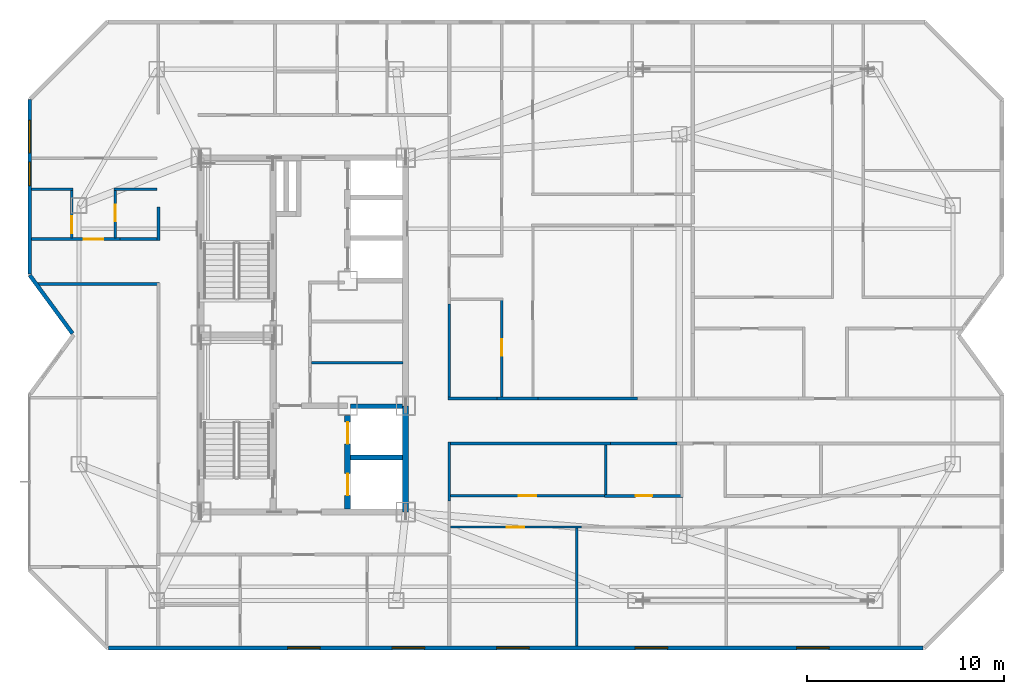
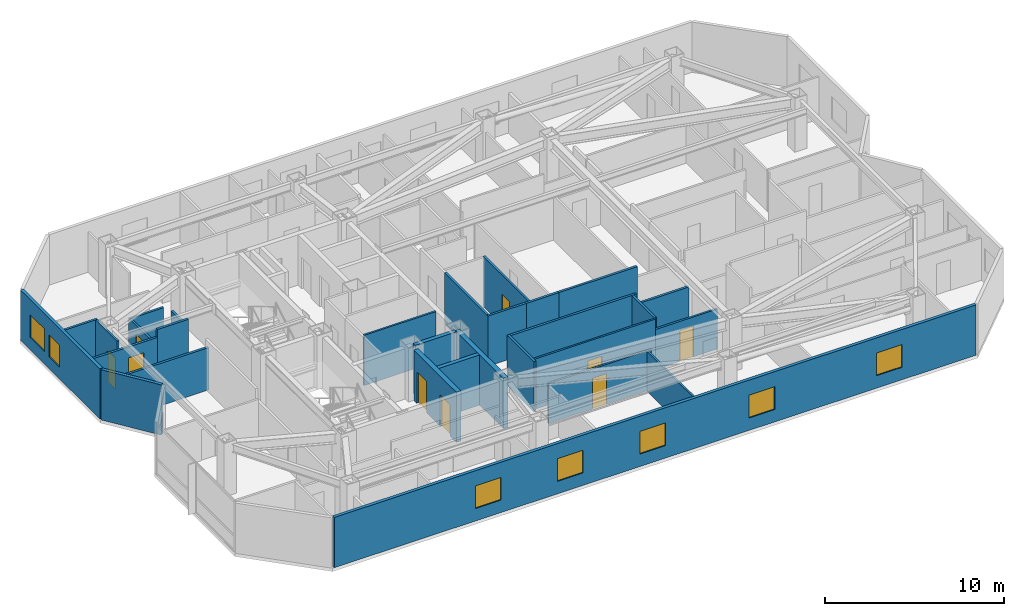
# One storey, part 9 of 14: 29 walls, 9 doors, 7 windows, 16 openings.
"""IFC4 building model written with IfcOpenShell, lengths in metres."""

from ifc_helpers import new_model, si_unit, direction, frame, frame_2d, origin, place, context, subcontext, project, spatial, rectangle, extrude, material, layer, layer_set, type_object, element, fill, save


model = new_model("IFC4")

# Units and contexts
model_context = context("Model", 3, precision=1e-05, world=origin(), true_north=direction((0.0, 1.0)))
body_context = subcontext(model_context, "Body", "Model", "MODEL_VIEW")
ifc_project = project(units=[si_unit("LENGTHUNIT", "METRE"), si_unit("AREAUNIT", "SQUARE_METRE"), si_unit("VOLUMEUNIT", "CUBIC_METRE"), si_unit("PLANEANGLEUNIT", "RADIAN"), si_unit("MASSUNIT", "GRAM", prefix="KILO")], contexts=[model_context])

# Site, building, storey
site_placement = place(None, origin())
site = spatial("IfcSite", under=ifc_project, at=site_placement, CompositionType="ELEMENT")
building_placement = place(site_placement, origin())
building = spatial("IfcBuilding", under=site, at=building_placement, Name="Khamvora Tower", CompositionType="ELEMENT")
storey_placement = place(building_placement, frame((0.0, 0.0, 253.699951171875)))
storey = spatial("IfcBuildingStorey", under=building, at=storey_placement, Name="L65", CompositionType="ELEMENT", Elevation=253.699951171875)

# Wall
ifc_material_1 = material(Name="Concrete C50/60", Category="concrete")
ifc_layer_1 = layer(ifc_material_1, 0.300048828125)
ifc_layer_set_1 = layer_set([ifc_layer_1], Name="Concrete C50/60")
wall_type_1 = type_object("IfcWallType", Name="WAL-CORE-300", PredefinedType="SHEAR", material=ifc_layer_set_1)
wall_1_placement = place(storey_placement, frame((39.39990234375, 19.0, 0.0), z_axis=(0.0, 0.0, 1.0), x_axis=(0.0, 1.0, 0.0)))
element("IfcWall", 1, at=wall_1_placement, inside=storey, type_object=wall_type_1, Name="L65 central core east south wall", PredefinedType="SHEAR", context=body_context, shape_type="SweptSolid", body=[
    extrude(rectangle(XDim=5.39990234375, YDim=0.300048828125, at=frame_2d((2.699951171875, 0.0))), origin(), (0.0, 0.0, 1.0), 3.429931640625),
])

# Wall, openings, doors
wall_2_placement = place(storey_placement, frame((36.449951171875, 19.154052734375, 0.0), z_axis=(0.0, 0.0, 1.0), x_axis=(0.0, 1.0, 0.0)))
wall_2 = element("IfcWall", 2, at=wall_2_placement, inside=storey, type_object=wall_type_1, Name="L65 central core lift bank south wall", PredefinedType="SHEAR", context=body_context, shape_type="SweptSolid", body=[
    extrude(rectangle(XDim=4.745849609375, YDim=0.300048828125, at=frame_2d((2.373046875, 0.0))), origin(), (0.0, 0.0, 1.0), 3.429931640625),
])
opening_1_placement = place(wall_2_placement, frame((0.696044921875, 0.0, 0.0)))
opening_1 = element("IfcOpeningElement", 3, at=opening_1_placement, cuts=wall_2, Name="Opening LD-FFL", PredefinedType="OPENING", context=body_context, shape_type="SweptSolid", body=[
    extrude(rectangle(XDim=1.10009765625, YDim=2.14990234375, at=frame_2d((0.550048828125, 1.074951171875))), frame((0.0, 0.159912109375, 0.0), z_axis=(0.0, -1.0, 0.0), x_axis=(1.0, 0.0, 0.0)), (0.0, 0.0, 1.0), 0.320068359375),
])
opening_2_placement = place(wall_2_placement, frame((3.31591796875, 0.0, 0.0)))
opening_2 = element("IfcOpeningElement", 4, at=opening_2_placement, cuts=wall_2, Name="Opening LD-FFL", PredefinedType="OPENING", context=body_context, shape_type="SweptSolid", body=[
    extrude(rectangle(XDim=1.10009765625, YDim=2.14990234375, at=frame_2d((0.550048828125, 1.074951171875))), frame((0.0, 0.159912109375, 0.0), z_axis=(0.0, -1.0, 0.0), x_axis=(1.0, 0.0, 0.0)), (0.0, 0.0, 1.0), 0.320068359375),
])
ifc_material_2 = material(Name="Powder-Coated Steel and Hardwood Leaf", Category="steel")
door_type_1 = type_object("IfcDoorType", Name="DOR-LIFT-1100", OperationType="SLIDING_TO_LEFT", PredefinedType="DOOR", material=ifc_material_2)
door_1_placement = place(opening_1_placement, origin())
door_1 = element("IfcDoor", 5, at=door_1_placement, inside=storey, type_object=door_type_1, Name="L65 lift landing sliding door FFL-01", OperationType="SLIDING_TO_LEFT", OverallHeight=2.14990234375, OverallWidth=1.10009765625, PredefinedType="DOOR", context=body_context, shape_type="SweptSolid", body=[
    extrude(rectangle(XDim=1.10009765625, YDim=2.14990234375, at=frame_2d((0.550048828125, 1.074951171875))), frame((0.0, 0.02490234375, 0.0), z_axis=(0.0, -1.0, 0.0), x_axis=(1.0, 0.0, 0.0)), (0.0, 0.0, 1.0), 0.050048828125),
])
fill(opening_1, door_1)
door_2_placement = place(opening_2_placement, origin())
door_2 = element("IfcDoor", 6, at=door_2_placement, inside=storey, type_object=door_type_1, Name="L65 lift landing sliding door FFL-02", OperationType="SLIDING_TO_LEFT", OverallHeight=2.14990234375, OverallWidth=1.10009765625, PredefinedType="DOOR", context=body_context, shape_type="SweptSolid", body=[
    extrude(rectangle(XDim=1.10009765625, YDim=2.14990234375, at=frame_2d((0.550048828125, 1.074951171875))), frame((0.0, 0.02490234375, 0.0), z_axis=(0.0, -1.0, 0.0), x_axis=(1.0, 0.0, 0.0)), (0.0, 0.0, 1.0), 0.050048828125),
])
fill(opening_2, door_2)

# Wall
ifc_material_3 = material(Name="Fire-Rated Drywall and Steel Stud", Category="steel")
ifc_layer_2 = layer(ifc_material_3, 0.14990234375)
ifc_layer_set_2 = layer_set([ifc_layer_2], Name="Fire-Rated Drywall and Steel Stud")
wall_type_2 = type_object("IfcWallType", Name="WAL-CORR-150", PredefinedType="STANDARD", material=ifc_layer_set_2)
wall_3_placement = place(storey_placement, frame((26.89794921875, 30.5849609375, 0.0), z_axis=(0.0, 0.0, 1.0), x_axis=(-1.0, 0.0, 0.0)))
element("IfcWall", 7, at=wall_3_placement, inside=storey, type_object=wall_type_2, Name="L65 interior partition wall 010", PredefinedType="STANDARD", context=body_context, shape_type="SweptSolid", body=[
    extrude(rectangle(XDim=6.241943359375, YDim=0.14990234375, at=frame_2d((3.12109375, 0.0))), origin(), (0.0, 0.0, 1.0), 2.886962890625),
])

# Wall, opening, door
wall_4_placement = place(storey_placement, frame((20.39208984375, 32.864990234375, 0.0), z_axis=(0.0, 0.0, 1.0), x_axis=(1.0, 0.0, 0.0)))
wall_4 = element("IfcWall", 8, at=wall_4_placement, inside=storey, type_object=wall_type_2, Name="L65 interior partition wall 011", PredefinedType="STANDARD", context=body_context, shape_type="SweptSolid", body=[
    extrude(rectangle(XDim=4.496826171875, YDim=0.14990234375, at=frame_2d((2.24853515625, 0.0))), origin(), (0.0, 0.0, 1.0), 2.886962890625),
])
opening_3_placement = place(wall_4_placement, frame((2.64794921875, 0.0, 0.0)))
opening_3 = element("IfcOpeningElement", 9, at=opening_3_placement, cuts=wall_4, Name="Opening D-U1", PredefinedType="OPENING", context=body_context, shape_type="SweptSolid", body=[
    extrude(rectangle(XDim=1.0, YDim=2.14990234375, at=frame_2d((0.5, 1.074951171875))), frame((0.0, 0.0849609375, 0.0), z_axis=(0.0, -1.0, 0.0), x_axis=(1.0, 0.0, 0.0)), (0.0, 0.0, 1.0), 0.169921875),
])
door_type_2 = type_object("IfcDoorType", Name="DOR-UNIT-1000", OperationType="NOTDEFINED", PredefinedType="DOOR", material=ifc_material_2)
door_3_placement = place(opening_3_placement, origin())
door_3 = element("IfcDoor", 10, at=door_3_placement, inside=storey, type_object=door_type_2, Name="L65 interior door COR-65WBH", OperationType="SINGLE_SWING_LEFT", OverallHeight=2.14990234375, OverallWidth=1.0, PredefinedType="DOOR", context=body_context, shape_type="SweptSolid", body=[
    extrude(rectangle(XDim=1.0, YDim=2.14990234375, at=frame_2d((0.5, 1.074951171875))), frame((0.0, 0.02490234375, 0.0), z_axis=(0.0, -1.0, 0.0), x_axis=(1.0, 0.0, 0.0)), (0.0, 0.0, 1.0), 0.050048828125),
])
fill(opening_3, door_3)

# Walls
wall_5_placement = place(storey_placement, frame((24.888916015625, 32.864990234375, 0.0), z_axis=(0.0, 0.0, 1.0), x_axis=(1.0, 0.0, 0.0)))
element("IfcWall", 11, at=wall_5_placement, inside=storey, type_object=wall_type_2, Name="L65 interior partition wall 012", PredefinedType="STANDARD", context=body_context, shape_type="SweptSolid", body=[
    extrude(rectangle(XDim=2.010986328125, YDim=0.14990234375, at=frame_2d((1.00537109375, 0.0))), origin(), (0.0, 0.0, 1.0), 3.429931640625),
])
wall_6_placement = place(storey_placement, frame((26.8349609375, 32.800048828125, 0.0), z_axis=(0.0, 0.0, 1.0), x_axis=(0.0, 1.0, 0.0)))
element("IfcWall", 12, at=wall_6_placement, inside=storey, type_object=wall_type_2, Name="L65 interior partition wall 013", PredefinedType="STANDARD", context=body_context, shape_type="SweptSolid", body=[
    extrude(rectangle(XDim=1.699951171875, YDim=0.14990234375, at=frame_2d((0.85009765625, 0.0))), origin(), (0.0, 0.0, 1.0), 3.012939453125),
])
wall_7_placement = place(storey_placement, frame((49.819091796875, 22.485107421875, 0.0), z_axis=(0.0, 0.0, 1.0), x_axis=(-1.0, 0.0, 0.0)))
element("IfcWall", 13, at=wall_7_placement, inside=storey, type_object=wall_type_2, Name="L65 interior partition wall 020", PredefinedType="STANDARD", context=body_context, shape_type="SweptSolid", body=[
    extrude(rectangle(XDim=8.26904296875, YDim=0.14990234375, at=frame_2d((4.134521484375, 0.0))), origin(), (0.0, 0.0, 1.0), 3.429931640625),
])
wall_8_placement = place(storey_placement, frame((41.614990234375, 22.550048828125, 0.0), z_axis=(0.0, 0.0, 1.0), x_axis=(0.0, -1.0, 0.0)))
element("IfcWall", 14, at=wall_8_placement, inside=storey, type_object=wall_type_2, Name="L65 interior partition wall 021", PredefinedType="STANDARD", context=body_context, shape_type="SweptSolid", body=[
    extrude(rectangle(XDim=2.97998046875, YDim=0.14990234375, at=frame_2d((1.489990234375, 0.0))), origin(), (0.0, 0.0, 1.0), 3.429931640625),
])
wall_9_placement = place(storey_placement, frame((53.18603515625, 22.485107421875, 0.0), z_axis=(0.0, 0.0, 1.0), x_axis=(-1.0, 0.0, 0.0)))
element("IfcWall", 15, at=wall_9_placement, inside=storey, type_object=wall_type_2, Name="L65 interior partition wall 025", PredefinedType="STANDARD", context=body_context, shape_type="SweptSolid", body=[
    extrude(rectangle(XDim=3.366943359375, YDim=0.14990234375, at=frame_2d((1.68359375, 0.0))), origin(), (0.0, 0.0, 1.0), 2.72509765625),
])
wall_10_placement = place(storey_placement, frame((44.0390625, 24.764892578125, 0.0), z_axis=(0.0, 0.0, 1.0), x_axis=(1.0, 0.0, 0.0)))
element("IfcWall", 16, at=wall_10_placement, inside=storey, type_object=wall_type_2, Name="L65 interior partition wall 030", PredefinedType="STANDARD", context=body_context, shape_type="SweptSolid", body=[
    extrude(rectangle(XDim=2.077880859375, YDim=0.14990234375, at=frame_2d((1.0390625, 0.0))), origin(), (0.0, 0.0, 1.0), 3.429931640625),
])
wall_11_placement = place(storey_placement, frame((41.614990234375, 29.56689453125, 0.0), z_axis=(0.0, 0.0, 1.0), x_axis=(0.0, -1.0, 0.0)))
element("IfcWall", 17, at=wall_11_placement, inside=storey, type_object=wall_type_2, Name="L65 interior partition wall 032", PredefinedType="STANDARD", context=body_context, shape_type="SweptSolid", body=[
    extrude(rectangle(XDim=4.866943359375, YDim=0.14990234375, at=frame_2d((2.43359375, 0.0))), origin(), (0.0, 0.0, 1.0), 3.429931640625),
])
wall_12_placement = place(storey_placement, frame((41.550048828125, 24.764892578125, 0.0), z_axis=(0.0, 0.0, 1.0), x_axis=(1.0, 0.0, 0.0)))
element("IfcWall", 18, at=wall_12_placement, inside=storey, type_object=wall_type_2, Name="L65 interior partition wall 033", PredefinedType="STANDARD", context=body_context, shape_type="SweptSolid", body=[
    extrude(rectangle(XDim=2.489013671875, YDim=0.14990234375, at=frame_2d((1.24462890625, 0.0))), origin(), (0.0, 0.0, 1.0), 3.429931640625),
])
wall_13_placement = place(storey_placement, frame((46.116943359375, 24.764892578125, 0.0), z_axis=(0.0, 0.0, 1.0), x_axis=(1.0, 0.0, 0.0)))
element("IfcWall", 19, at=wall_13_placement, inside=storey, type_object=wall_type_2, Name="L65 interior partition wall 034", PredefinedType="STANDARD", context=body_context, shape_type="SweptSolid", body=[
    extrude(rectangle(XDim=5.050048828125, YDim=0.14990234375, at=frame_2d((2.52490234375, 0.0))), origin(), (0.0, 0.0, 1.0), 3.429931640625),
])
ifc_material_4 = material(Name="Precast concrete C40/50", Category="concrete")
ifc_layer_3 = layer(ifc_material_4, 0.199951171875)
ifc_layer_set_3 = layer_set([ifc_layer_3], Name="Precast concrete C40/50")
wall_type_3 = type_object("IfcWallType", Name="WAL-EXT-200", PredefinedType="STANDARD", material=ifc_layer_set_3)
wall_14_placement = place(storey_placement, frame((22.472900390625, 28.069091796875, 0.0), z_axis=(0.0, 0.0, 1.0), x_axis=(-0.591248456881, 0.80648946815, 0.0)))
element("IfcWall", 20, at=wall_14_placement, inside=storey, type_object=wall_type_3, Name="L65 exterior facade wall 04.1", PredefinedType="STANDARD", context=body_context, shape_type="SweptSolid", body=[
    extrude(rectangle(XDim=3.675048828125, YDim=0.199951171875, at=frame_2d((1.83740234375, 0.0))), origin(), (0.0, 0.0, 1.0), 3.429931640625),
])

# Wall, openings, windows
wall_15_placement = place(storey_placement, frame((20.300048828125, 31.083984375, 0.0), z_axis=(0.0, 0.0, 1.0), x_axis=(0.0, 1.0, 0.0)))
wall_15 = element("IfcWall", 21, at=wall_15_placement, inside=storey, type_object=wall_type_3, Name="L65 exterior facade wall 05.1", PredefinedType="STANDARD", context=body_context, shape_type="SweptSolid", body=[
    extrude(rectangle(XDim=8.875, YDim=0.199951171875, at=frame_2d((4.4375, 0.0))), origin(), (0.0, 0.0, 1.0), 3.429931640625),
])
opening_4_placement = place(wall_15_placement, frame((4.5009765625, 0.0, 0.800048828125)))
opening_4 = element("IfcOpeningElement", 22, at=opening_4_placement, cuts=wall_15, Name="Opening WN-03", PredefinedType="OPENING", context=body_context, shape_type="SweptSolid", body=[
    extrude(rectangle(XDim=1.199951171875, YDim=1.5, at=frame_2d((0.60009765625, 0.75))), frame((0.0, 0.10986328125, 0.0), z_axis=(0.0, -1.0, 0.0), x_axis=(1.0, 0.0, 0.0)), (0.0, 0.0, 1.0), 0.219970703125),
])
opening_5_placement = place(wall_15_placement, frame((6.166015625, 0.0, 0.85009765625)))
opening_5 = element("IfcOpeningElement", 23, at=opening_5_placement, cuts=wall_15, Name="Opening WN-06", PredefinedType="OPENING", context=body_context, shape_type="SweptSolid", body=[
    extrude(rectangle(XDim=1.64990234375, YDim=1.550048828125, at=frame_2d((0.824951171875, 0.77490234375))), frame((0.0, 0.10986328125, 0.0), z_axis=(0.0, -1.0, 0.0), x_axis=(1.0, 0.0, 0.0)), (0.0, 0.0, 1.0), 0.219970703125),
])
ifc_material_5 = material(Name="Low-E Laminated Double Glazing", Category="glass")
window_type_1 = type_object("IfcWindowType", Name="WIN-VIS-1200x1500", PartitioningType="SINGLE_PANEL", PredefinedType="WINDOW", material=ifc_material_5)
window_1_placement = place(opening_4_placement, origin())
window_1 = element("IfcWindow", 24, at=window_1_placement, inside=storey, type_object=window_type_1, Name="L65 vision window 05.1.01", OverallHeight=1.5, OverallWidth=1.199951171875, PartitioningType="SINGLE_PANEL", PredefinedType="WINDOW", context=body_context, shape_type="SweptSolid", body=[
    extrude(rectangle(XDim=1.199951171875, YDim=1.5, at=frame_2d((0.60009765625, 0.75))), frame((0.0, 0.030029296875, 0.0), z_axis=(0.0, -1.0, 0.0), x_axis=(1.0, 0.0, 0.0)), (0.0, 0.0, 1.0), 0.06005859375),
])
fill(opening_4, window_1)
window_type_2 = type_object("IfcWindowType", Name="WIN-VIS-1650x1550", PartitioningType="SINGLE_PANEL", PredefinedType="WINDOW", material=ifc_material_5)
window_2_placement = place(opening_5_placement, origin())
window_2 = element("IfcWindow", 25, at=window_2_placement, inside=storey, type_object=window_type_2, Name="L65 vision window 05.1.02", OverallHeight=1.550048828125, OverallWidth=1.64990234375, PartitioningType="SINGLE_PANEL", PredefinedType="WINDOW", context=body_context, shape_type="SweptSolid", body=[
    extrude(rectangle(XDim=1.64990234375, YDim=1.550048828125, at=frame_2d((0.824951171875, 0.77490234375))), frame((0.0, 0.030029296875, 0.0), z_axis=(0.0, -1.0, 0.0), x_axis=(1.0, 0.0, 0.0)), (0.0, 0.0, 1.0), 0.06005859375),
])
fill(opening_5, window_2)

wall_16_placement = place(storey_placement, frame((65.696044921875, 12.10009765625, 0.0), z_axis=(0.0, 0.0, 1.0), x_axis=(-1.0, 0.0, 0.0)))
wall_16 = element("IfcWall", 26, at=wall_16_placement, inside=storey, type_object=wall_type_3, Name="L65 exterior facade wall 14.1", PredefinedType="STANDARD", context=body_context, shape_type="SweptSolid", body=[
    extrude(rectangle(XDim=41.39306640625, YDim=0.199951171875, at=frame_2d((20.696533203125, 0.0))), origin(), (0.0, 0.0, 1.0), 3.429931640625),
])
opening_6_placement = place(wall_16_placement, frame((30.64599609375, 0.0, 0.85009765625)))
opening_6 = element("IfcOpeningElement", 27, at=opening_6_placement, cuts=wall_16, Name="Opening WN-06", PredefinedType="OPENING", context=body_context, shape_type="SweptSolid", body=[
    extrude(rectangle(XDim=1.64990234375, YDim=1.550048828125, at=frame_2d((0.824951171875, 0.77490234375))), frame((0.0, 0.10986328125, 0.0), z_axis=(0.0, -1.0, 0.0), x_axis=(1.0, 0.0, 0.0)), (0.0, 0.0, 1.0), 0.219970703125),
])
opening_7_placement = place(wall_16_placement, frame((25.339111328125, 0.0, 0.85009765625)))
opening_7 = element("IfcOpeningElement", 28, at=opening_7_placement, cuts=wall_16, Name="Opening WN-06", PredefinedType="OPENING", context=body_context, shape_type="SweptSolid", body=[
    extrude(rectangle(XDim=1.64990234375, YDim=1.550048828125, at=frame_2d((0.824951171875, 0.77490234375))), frame((0.0, 0.10986328125, 0.0), z_axis=(0.0, -1.0, 0.0), x_axis=(1.0, 0.0, 0.0)), (0.0, 0.0, 1.0), 0.219970703125),
])
opening_8_placement = place(wall_16_placement, frame((20.02197265625, 0.0, 0.85009765625)))
opening_8 = element("IfcOpeningElement", 29, at=opening_8_placement, cuts=wall_16, Name="Opening WN-06", PredefinedType="OPENING", context=body_context, shape_type="SweptSolid", body=[
    extrude(rectangle(XDim=1.64990234375, YDim=1.550048828125, at=frame_2d((0.824951171875, 0.77490234375))), frame((0.0, 0.10986328125, 0.0), z_axis=(0.0, -1.0, 0.0), x_axis=(1.0, 0.0, 0.0)), (0.0, 0.0, 1.0), 0.219970703125),
])
opening_9_placement = place(wall_16_placement, frame((12.987060546875, 0.0, 0.85009765625)))
opening_9 = element("IfcOpeningElement", 30, at=opening_9_placement, cuts=wall_16, Name="Opening WN-06", PredefinedType="OPENING", context=body_context, shape_type="SweptSolid", body=[
    extrude(rectangle(XDim=1.64990234375, YDim=1.550048828125, at=frame_2d((0.824951171875, 0.77490234375))), frame((0.0, 0.10986328125, 0.0), z_axis=(0.0, -1.0, 0.0), x_axis=(1.0, 0.0, 0.0)), (0.0, 0.0, 1.0), 0.219970703125),
])
opening_10_placement = place(wall_16_placement, frame((4.787109375, 0.0, 0.85009765625)))
opening_10 = element("IfcOpeningElement", 31, at=opening_10_placement, cuts=wall_16, Name="Opening WN-06", PredefinedType="OPENING", context=body_context, shape_type="SweptSolid", body=[
    extrude(rectangle(XDim=1.64990234375, YDim=1.550048828125, at=frame_2d((0.824951171875, 0.77490234375))), frame((0.0, 0.10986328125, 0.0), z_axis=(0.0, -1.0, 0.0), x_axis=(1.0, 0.0, 0.0)), (0.0, 0.0, 1.0), 0.219970703125),
])
window_3_placement = place(opening_6_placement, origin())
window_3 = element("IfcWindow", 32, at=window_3_placement, inside=storey, type_object=window_type_2, Name="L65 vision window 14.1.01", OverallHeight=1.550048828125, OverallWidth=1.64990234375, PartitioningType="SINGLE_PANEL", PredefinedType="WINDOW", context=body_context, shape_type="SweptSolid", body=[
    extrude(rectangle(XDim=1.64990234375, YDim=1.550048828125, at=frame_2d((0.824951171875, 0.77490234375))), frame((0.0, 0.030029296875, 0.0), z_axis=(0.0, -1.0, 0.0), x_axis=(1.0, 0.0, 0.0)), (0.0, 0.0, 1.0), 0.06005859375),
])
fill(opening_6, window_3)
window_4_placement = place(opening_7_placement, origin())
window_4 = element("IfcWindow", 33, at=window_4_placement, inside=storey, type_object=window_type_2, Name="L65 vision window 14.1.02", OverallHeight=1.550048828125, OverallWidth=1.64990234375, PartitioningType="SINGLE_PANEL", PredefinedType="WINDOW", context=body_context, shape_type="SweptSolid", body=[
    extrude(rectangle(XDim=1.64990234375, YDim=1.550048828125, at=frame_2d((0.824951171875, 0.77490234375))), frame((0.0, 0.030029296875, 0.0), z_axis=(0.0, -1.0, 0.0), x_axis=(1.0, 0.0, 0.0)), (0.0, 0.0, 1.0), 0.06005859375),
])
fill(opening_7, window_4)
window_5_placement = place(opening_8_placement, origin())
window_5 = element("IfcWindow", 34, at=window_5_placement, inside=storey, type_object=window_type_2, Name="L65 vision window 14.1.03", OverallHeight=1.550048828125, OverallWidth=1.64990234375, PartitioningType="SINGLE_PANEL", PredefinedType="WINDOW", context=body_context, shape_type="SweptSolid", body=[
    extrude(rectangle(XDim=1.64990234375, YDim=1.550048828125, at=frame_2d((0.824951171875, 0.77490234375))), frame((0.0, 0.030029296875, 0.0), z_axis=(0.0, -1.0, 0.0), x_axis=(1.0, 0.0, 0.0)), (0.0, 0.0, 1.0), 0.06005859375),
])
fill(opening_8, window_5)
window_6_placement = place(opening_9_placement, origin())
window_6 = element("IfcWindow", 35, at=window_6_placement, inside=storey, type_object=window_type_2, Name="L65 vision window 14.1.04", OverallHeight=1.550048828125, OverallWidth=1.64990234375, PartitioningType="SINGLE_PANEL", PredefinedType="WINDOW", context=body_context, shape_type="SweptSolid", body=[
    extrude(rectangle(XDim=1.64990234375, YDim=1.550048828125, at=frame_2d((0.824951171875, 0.77490234375))), frame((0.0, 0.030029296875, 0.0), z_axis=(0.0, -1.0, 0.0), x_axis=(1.0, 0.0, 0.0)), (0.0, 0.0, 1.0), 0.06005859375),
])
fill(opening_9, window_6)
window_7_placement = place(opening_10_placement, origin())
window_7 = element("IfcWindow", 36, at=window_7_placement, inside=storey, type_object=window_type_2, Name="L65 vision window 14.1.05", OverallHeight=1.550048828125, OverallWidth=1.64990234375, PartitioningType="SINGLE_PANEL", PredefinedType="WINDOW", context=body_context, shape_type="SweptSolid", body=[
    extrude(rectangle(XDim=1.64990234375, YDim=1.550048828125, at=frame_2d((0.824951171875, 0.77490234375))), frame((0.0, 0.030029296875, 0.0), z_axis=(0.0, -1.0, 0.0), x_axis=(1.0, 0.0, 0.0)), (0.0, 0.0, 1.0), 0.06005859375),
])
fill(opening_10, window_7)

# Wall
ifc_material_6 = material(Name="Gypsum Plasterboard Partition", Category="gypsum")
ifc_layer_4 = layer(ifc_material_6, 0.1201171875)
ifc_layer_set_4 = layer_set([ifc_layer_4], Name="Gypsum Plasterboard Partition")
wall_type_4 = type_object("IfcWallType", Name="WAL-PART-120", PredefinedType="PARTITIONING", material=ifc_layer_set_4)
wall_17_placement = place(storey_placement, frame((39.256103515625, 26.5849609375, 0.0), z_axis=(0.0, 0.0, 1.0), x_axis=(-1.0, 0.0, 0.0)))
element("IfcWall", 37, at=wall_17_placement, inside=storey, type_object=wall_type_4, Name="L65 interior partition wall 006", PredefinedType="PARTITIONING", context=body_context, shape_type="SweptSolid", body=[
    extrude(rectangle(XDim=4.64404296875, YDim=0.1201171875, at=frame_2d((2.322021484375, 0.0))), origin(), (0.0, 0.0, 1.0), 3.429931640625),
])

# Wall, opening, door
wall_18_placement = place(storey_placement, frame((49.5048828125, 19.819091796875, 0.0), z_axis=(0.0, 0.0, 1.0), x_axis=(-1.0, 0.0, 0.0)))
wall_18 = element("IfcWall", 38, at=wall_18_placement, inside=storey, type_object=wall_type_4, Name="L65 interior partition wall 064", PredefinedType="PARTITIONING", context=body_context, shape_type="SweptSolid", body=[
    extrude(rectangle(XDim=7.822998046875, YDim=0.1201171875, at=frame_2d((3.91162109375, 0.0))), origin(), (0.0, 0.0, 1.0), 3.429931640625),
])
opening_11_placement = place(wall_18_placement, frame((3.4619140625, 0.0, 0.0)))
opening_11 = element("IfcOpeningElement", 39, at=opening_11_placement, cuts=wall_18, Name="Opening D-RM1", PredefinedType="OPENING", context=body_context, shape_type="SweptSolid", body=[
    extrude(rectangle(XDim=0.89990234375, YDim=2.10009765625, at=frame_2d((0.449951171875, 1.050048828125))), frame((0.0, 0.070068359375, 0.0), z_axis=(0.0, -1.0, 0.0), x_axis=(1.0, 0.0, 0.0)), (0.0, 0.0, 1.0), 0.14013671875),
])
door_type_3 = type_object("IfcDoorType", Name="DOR-ROOM-900", OperationType="NOTDEFINED", PredefinedType="DOOR", material=ifc_material_2)
door_4_placement = place(opening_11_placement, origin())
door_4 = element("IfcDoor", 40, at=door_4_placement, inside=storey, type_object=door_type_3, Name="L65 interior door 65EAW1-65EAH", OperationType="SINGLE_SWING_RIGHT", OverallHeight=2.10009765625, OverallWidth=0.89990234375, PredefinedType="DOOR", context=body_context, shape_type="SweptSolid", body=[
    extrude(rectangle(XDim=0.89990234375, YDim=2.10009765625, at=frame_2d((0.449951171875, 1.050048828125))), frame((0.0, 0.02490234375, 0.0), z_axis=(0.0, -1.0, 0.0), x_axis=(1.0, 0.0, 0.0)), (0.0, 0.0, 1.0), 0.050048828125),
])
fill(opening_11, door_4)

wall_19_placement = place(storey_placement, frame((48.3330078125, 18.239013671875, 0.0), z_axis=(0.0, 0.0, 1.0), x_axis=(-1.0, 0.0, 0.0)))
wall_19 = element("IfcWall", 41, at=wall_19_placement, inside=storey, type_object=wall_type_4, Name="L65 interior partition wall 072", PredefinedType="PARTITIONING", context=body_context, shape_type="SweptSolid", body=[
    extrude(rectangle(XDim=6.651123046875, YDim=0.1201171875, at=frame_2d((3.32568359375, 0.0))), origin(), (0.0, 0.0, 1.0), 2.72509765625),
])
opening_12_placement = place(wall_19_placement, frame((2.89599609375, 0.0, 0.0)))
opening_12 = element("IfcOpeningElement", 42, at=opening_12_placement, cuts=wall_19, Name="Opening D-RM1", PredefinedType="OPENING", context=body_context, shape_type="SweptSolid", body=[
    extrude(rectangle(XDim=0.89990234375, YDim=2.10009765625, at=frame_2d((0.449951171875, 1.050048828125))), frame((0.0, 0.070068359375, 0.0), z_axis=(0.0, -1.0, 0.0), x_axis=(1.0, 0.0, 0.0)), (0.0, 0.0, 1.0), 0.14013671875),
])
door_5_placement = place(opening_12_placement, origin())
door_5 = element("IfcDoor", 43, at=door_5_placement, inside=storey, type_object=door_type_3, Name="L65 interior door 65EAH-65EAR1", OperationType="SINGLE_SWING_RIGHT", OverallHeight=2.10009765625, OverallWidth=0.89990234375, PredefinedType="DOOR", context=body_context, shape_type="SweptSolid", body=[
    extrude(rectangle(XDim=0.89990234375, YDim=2.10009765625, at=frame_2d((0.449951171875, 1.050048828125))), frame((0.0, 0.02490234375, 0.0), z_axis=(0.0, -1.0, 0.0), x_axis=(1.0, 0.0, 0.0)), (0.0, 0.0, 1.0), 0.050048828125),
])
fill(opening_12, door_5)

# Walls
wall_20_placement = place(storey_placement, frame((48.083984375, 18.18505859375, 0.0), z_axis=(0.0, 0.0, 1.0), x_axis=(0.0, -1.0, 0.0)))
element("IfcWall", 44, at=wall_20_placement, inside=storey, type_object=wall_type_4, Name="L65 interior partition wall 076", PredefinedType="PARTITIONING", context=body_context, shape_type="SweptSolid", body=[
    extrude(rectangle(XDim=5.9931640625, YDim=0.1201171875, at=frame_2d((2.99658203125, 0.0))), origin(), (0.0, 0.0, 1.0), 2.72509765625),
])
ifc_material_7 = material(Name="Concrete C40/50", Category="concrete")
ifc_layer_5 = layer(ifc_material_7, 0.25)
ifc_layer_set_5 = layer_set([ifc_layer_5], Name="Concrete C40/50")
wall_type_5 = type_object("IfcWallType", Name="WAL-PODS-250", PredefinedType="SHEAR", material=ifc_layer_set_5)
for number, where, z_axis, x_axis, name in (
    (45, (36.60400390625, 21.77490234375, 0.0), (0.0, 0.0, 1.0), (1.0, 0.0, 0.0), "L65 lift shaft divider wall FFL-01"),
    (46, (36.60400390625, 24.375, 0.0), (0.0, 0.0, 1.0), (1.0, 0.0, 0.0), "L65 lift shaft divider wall FFL-02"),
):
    element("IfcWall", number, at=place(storey_placement, frame(where, z_axis=z_axis, x_axis=x_axis)), inside=storey, type_object=wall_type_5, Name=name, PredefinedType="SHEAR", context=body_context, shape_type="SweptSolid", body=[
        extrude(rectangle(XDim=2.64208984375, YDim=0.25, at=frame_2d((1.321044921875, 0.0))), origin(), (0.0, 0.0, 1.0), 3.429931640625),
    ])

# Wall, opening, door
ifc_material_8 = material(Name="Moisture-Resistant Plasterboard Partition", Category="gypsum")
ifc_layer_6 = layer(ifc_material_8, 0.135009765625)
ifc_layer_set_6 = layer_set([ifc_layer_6], Name="Moisture-Resistant Plasterboard Partition")
wall_type_6 = type_object("IfcWallType", Name="WAL-WET-135", PredefinedType="PARTITIONING", material=ifc_layer_set_6)
wall_21_placement = place(storey_placement, frame((22.43994140625, 32.931884765625, 0.0), z_axis=(0.0, 0.0, 1.0), x_axis=(0.0, 1.0, 0.0)))
wall_21 = element("IfcWall", 47, at=wall_21_placement, inside=storey, type_object=wall_type_6, Name="L65 interior partition wall 049", PredefinedType="PARTITIONING", context=body_context, shape_type="SweptSolid", body=[
    extrude(rectangle(XDim=2.528076171875, YDim=0.135009765625, at=frame_2d((1.26416015625, 0.0))), origin(), (0.0, 0.0, 1.0), 3.429931640625),
])
opening_13_placement = place(wall_21_placement, frame((0.241943359375, 0.0, 0.0)))
opening_13 = element("IfcOpeningElement", 48, at=opening_13_placement, cuts=wall_21, Name="Opening D-WC1", PredefinedType="OPENING", context=body_context, shape_type="SweptSolid", body=[
    extrude(rectangle(XDim=0.85009765625, YDim=2.10009765625, at=frame_2d((0.425048828125, 1.050048828125))), frame((0.0, 0.077392578125, 0.0), z_axis=(0.0, -1.0, 0.0), x_axis=(1.0, 0.0, 0.0)), (0.0, 0.0, 1.0), 0.155029296875),
])
door_type_4 = type_object("IfcDoorType", Name="DOR-WET-850", OperationType="NOTDEFINED", PredefinedType="DOOR", material=ifc_material_2)
door_6_placement = place(opening_13_placement, origin())
door_6 = element("IfcDoor", 49, at=door_6_placement, inside=storey, type_object=door_type_4, Name="L65 interior door 65WBH-65WBB", OperationType="SINGLE_SWING_LEFT", OverallHeight=2.10009765625, OverallWidth=0.85009765625, PredefinedType="DOOR", context=body_context, shape_type="SweptSolid", body=[
    extrude(rectangle(XDim=0.85009765625, YDim=2.10009765625, at=frame_2d((0.425048828125, 1.050048828125))), frame((0.0, 0.02490234375, 0.0), z_axis=(0.0, -1.0, 0.0), x_axis=(1.0, 0.0, 0.0)), (0.0, 0.0, 1.0), 0.050048828125),
])
fill(opening_13, door_6)

# Walls
wall_22_placement = place(storey_placement, frame((22.5048828125, 35.39501953125, 0.0), z_axis=(0.0, 0.0, 1.0), x_axis=(-1.0, 0.0, 0.0)))
element("IfcWall", 50, at=wall_22_placement, inside=storey, type_object=wall_type_6, Name="L65 interior partition wall 050", PredefinedType="PARTITIONING", context=body_context, shape_type="SweptSolid", body=[
    extrude(rectangle(XDim=2.11279296875, YDim=0.135009765625, at=frame_2d((1.056396484375, 0.0))), origin(), (0.0, 0.0, 1.0), 3.429931640625),
])
wall_23_placement = place(storey_placement, frame((26.77001953125, 35.39501953125, 0.0), z_axis=(0.0, 0.0, 1.0), x_axis=(-1.0, 0.0, 0.0)))
element("IfcWall", 51, at=wall_23_placement, inside=storey, type_object=wall_type_6, Name="L65 interior partition wall 051", PredefinedType="PARTITIONING", context=body_context, shape_type="SweptSolid", body=[
    extrude(rectangle(XDim=2.195068359375, YDim=0.135009765625, at=frame_2d((1.09765625, 0.0))), origin(), (0.0, 0.0, 1.0), 2.72509765625),
])

# Wall, opening, door
wall_24_placement = place(storey_placement, frame((24.639892578125, 35.4599609375, 0.0), z_axis=(0.0, 0.0, 1.0), x_axis=(0.0, -1.0, 0.0)))
wall_24 = element("IfcWall", 52, at=wall_24_placement, inside=storey, type_object=wall_type_6, Name="L65 interior partition wall 052", PredefinedType="PARTITIONING", context=body_context, shape_type="SweptSolid", body=[
    extrude(rectangle(XDim=2.528076171875, YDim=0.135009765625, at=frame_2d((1.26416015625, 0.0))), origin(), (0.0, 0.0, 1.0), 2.72509765625),
])
opening_14_placement = place(wall_24_placement, frame((0.839111328125, 0.0, 0.0)))
opening_14 = element("IfcOpeningElement", 53, at=opening_14_placement, cuts=wall_24, Name="Opening D-RM2", PredefinedType="OPENING", context=body_context, shape_type="SweptSolid", body=[
    extrude(rectangle(XDim=0.85009765625, YDim=2.10009765625, at=frame_2d((0.425048828125, 1.050048828125))), frame((0.0, 0.077392578125, 0.0), z_axis=(0.0, -1.0, 0.0), x_axis=(1.0, 0.0, 0.0)), (0.0, 0.0, 1.0), 0.155029296875),
])
door_type_5 = type_object("IfcDoorType", Name="DOR-ROOM-850", OperationType="NOTDEFINED", PredefinedType="DOOR", material=ifc_material_2)
door_7_placement = place(opening_14_placement, origin())
door_7 = element("IfcDoor", 54, at=door_7_placement, inside=storey, type_object=door_type_5, Name="L65 interior door 65WBH-65WBK", OperationType="SINGLE_SWING_RIGHT", OverallHeight=2.10009765625, OverallWidth=0.85009765625, PredefinedType="DOOR", context=body_context, shape_type="SweptSolid", body=[
    extrude(rectangle(XDim=0.85009765625, YDim=2.10009765625, at=frame_2d((0.425048828125, 1.050048828125))), frame((0.0, 0.02490234375, 0.0), z_axis=(0.0, -1.0, 0.0), x_axis=(1.0, 0.0, 0.0)), (0.0, 0.0, 1.0), 0.050048828125),
])
fill(opening_14, door_7)

# Wall
wall_25_placement = place(storey_placement, frame((49.570068359375, 22.41796875, 0.0), z_axis=(0.0, 0.0, 1.0), x_axis=(0.0, -1.0, 0.0)))
element("IfcWall", 55, at=wall_25_placement, inside=storey, type_object=wall_type_6, Name="L65 interior partition wall 065", PredefinedType="PARTITIONING", context=body_context, shape_type="SweptSolid", body=[
    extrude(rectangle(XDim=2.533935546875, YDim=0.135009765625, at=frame_2d((1.26708984375, 0.0))), origin(), (0.0, 0.0, 1.0), 3.429931640625),
])

# Wall, opening, door
wall_26_placement = place(storey_placement, frame((49.5048828125, 19.819091796875, 0.0), z_axis=(0.0, 0.0, 1.0), x_axis=(1.0, 0.0, 0.0)))
wall_26 = element("IfcWall", 56, at=wall_26_placement, inside=storey, type_object=wall_type_6, Name="L65 interior partition wall 068", PredefinedType="PARTITIONING", context=body_context, shape_type="SweptSolid", body=[
    extrude(rectangle(XDim=3.9951171875, YDim=0.135009765625, at=frame_2d((1.99755859375, 0.0))), origin(), (0.0, 0.0, 1.0), 2.72509765625),
])
opening_15_placement = place(wall_26_placement, frame((1.572998046875, 0.0, 0.0)))
opening_15 = element("IfcOpeningElement", 57, at=opening_15_placement, cuts=wall_26, Name="Opening D-WC1", PredefinedType="OPENING", context=body_context, shape_type="SweptSolid", body=[
    extrude(rectangle(XDim=0.85009765625, YDim=2.10009765625, at=frame_2d((0.425048828125, 1.050048828125))), frame((0.0, 0.077392578125, 0.0), z_axis=(0.0, -1.0, 0.0), x_axis=(1.0, 0.0, 0.0)), (0.0, 0.0, 1.0), 0.155029296875),
])
door_8_placement = place(opening_15_placement, origin())
door_8 = element("IfcDoor", 58, at=door_8_placement, inside=storey, type_object=door_type_4, Name="L65 interior door 65EAH-65EAB", OperationType="SINGLE_SWING_RIGHT", OverallHeight=2.10009765625, OverallWidth=0.85009765625, PredefinedType="DOOR", context=body_context, shape_type="SweptSolid", body=[
    extrude(rectangle(XDim=0.85009765625, YDim=2.10009765625, at=frame_2d((0.425048828125, 1.050048828125))), frame((0.0, 0.02490234375, 0.0), z_axis=(0.0, -1.0, 0.0), x_axis=(1.0, 0.0, 0.0)), (0.0, 0.0, 1.0), 0.050048828125),
])
fill(opening_15, door_8)

wall_27_placement = place(storey_placement, frame((44.2880859375, 24.83203125, 0.0), z_axis=(0.0, 0.0, 1.0), x_axis=(0.0, 1.0, 0.0)))
wall_27 = element("IfcWall", 59, at=wall_27_placement, inside=storey, type_object=wall_type_6, Name="L65 interior partition wall 083", PredefinedType="PARTITIONING", context=body_context, shape_type="SweptSolid", body=[
    extrude(rectangle(XDim=5.049072265625, YDim=0.135009765625, at=frame_2d((2.5244140625, 0.0))), origin(), (0.0, 0.0, 1.0), 3.429931640625),
])
opening_16_placement = place(wall_27_placement, frame((2.10009765625, 0.0, 0.0)))
opening_16 = element("IfcOpeningElement", 60, at=opening_16_placement, cuts=wall_27, Name="Opening D-RM2", PredefinedType="OPENING", context=body_context, shape_type="SweptSolid", body=[
    extrude(rectangle(XDim=0.85009765625, YDim=2.10009765625, at=frame_2d((0.425048828125, 1.050048828125))), frame((0.0, 0.077392578125, 0.0), z_axis=(0.0, -1.0, 0.0), x_axis=(1.0, 0.0, 0.0)), (0.0, 0.0, 1.0), 0.155029296875),
])
door_9_placement = place(opening_16_placement, origin())
door_9 = element("IfcDoor", 61, at=door_9_placement, inside=storey, type_object=door_type_5, Name="L65 interior door 65EBH-65EBK", OperationType="SINGLE_SWING_RIGHT", OverallHeight=2.10009765625, OverallWidth=0.85009765625, PredefinedType="DOOR", context=body_context, shape_type="SweptSolid", body=[
    extrude(rectangle(XDim=0.85009765625, YDim=2.10009765625, at=frame_2d((0.425048828125, 1.050048828125))), frame((0.0, 0.02490234375, 0.0), z_axis=(0.0, -1.0, 0.0), x_axis=(1.0, 0.0, 0.0)), (0.0, 0.0, 1.0), 0.050048828125),
])
fill(opening_16, door_9)

save(model, "model.ifc")
